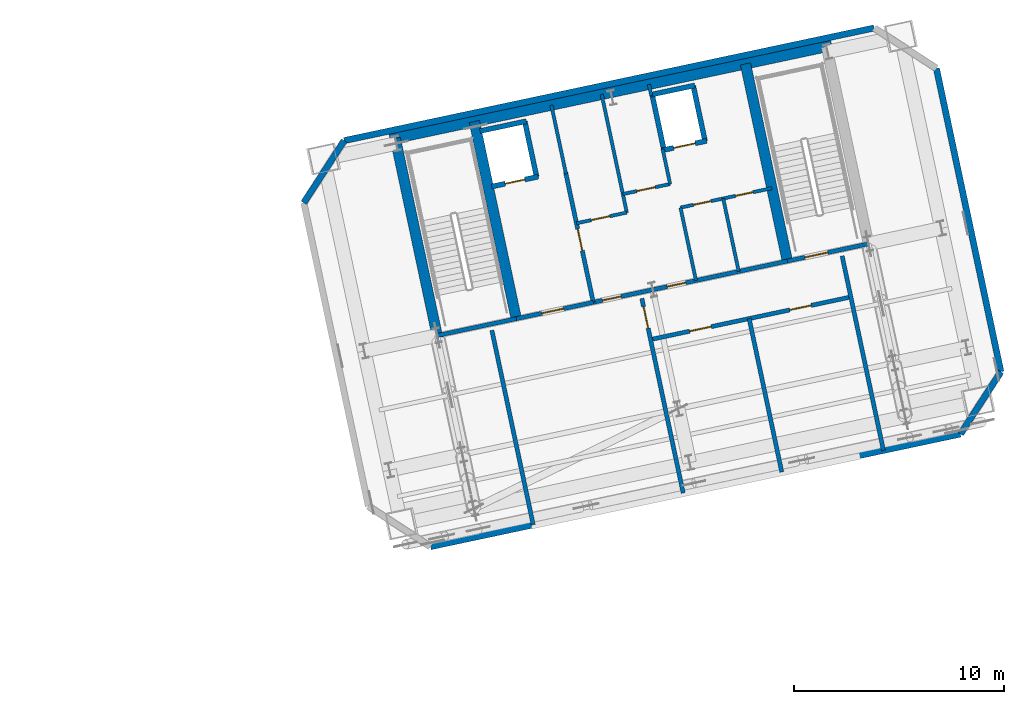
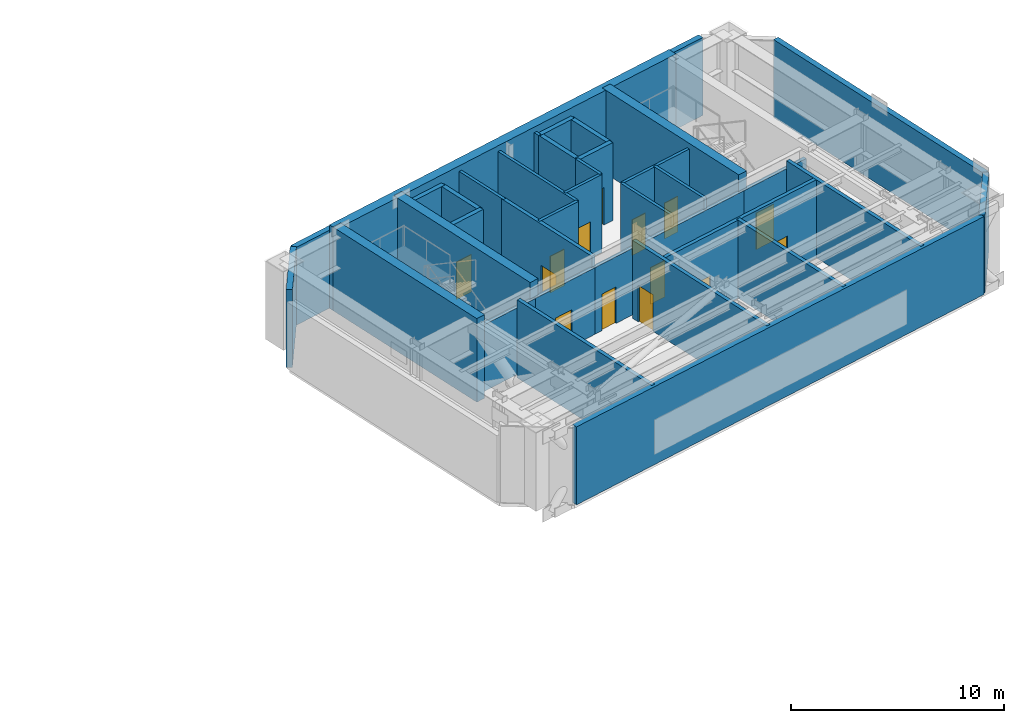
# One storey, part 10 of 15: 35 walls, 14 doors, 14 openings.
"""IFC4 building model written with IfcOpenShell, lengths in metres."""

from ifc_helpers import new_model, si_unit, direction, frame, frame_2d, origin, place, context, subcontext, project, spatial, rectangle, extrude, material, layer, layer_set, type_object, element, fill, save


model = new_model("IFC4")

# Units and contexts
model_context = context("Model", 3, precision=1e-05, world=origin(), true_north=direction((0.0, 1.0)))
body_context = subcontext(model_context, "Body", "Model", "MODEL_VIEW")
ifc_project = project(units=[si_unit("LENGTHUNIT", "METRE"), si_unit("AREAUNIT", "SQUARE_METRE"), si_unit("VOLUMEUNIT", "CUBIC_METRE"), si_unit("PLANEANGLEUNIT", "RADIAN"), si_unit("MASSUNIT", "GRAM", prefix="KILO")], contexts=[model_context])

# Site, building, storey
site_placement = place(None, origin())
site = spatial("IfcSite", under=ifc_project, at=site_placement, CompositionType="ELEMENT")
building_placement = place(site_placement, origin())
building = spatial("IfcBuilding", under=site, at=building_placement, Name="Haevon Station Towers", CompositionType="ELEMENT")
storey_placement = place(building_placement, frame((0.0, 0.0, 192.300048828125)))
storey = spatial("IfcBuildingStorey", under=building, at=storey_placement, Name="L53", CompositionType="ELEMENT", Elevation=192.300048828125)

# Wall
ifc_material_1 = material(Name="Gypsum board on steel stud", Category="steel")
ifc_layer_1 = layer(ifc_material_1, 0.199951171875)
ifc_layer_set_1 = layer_set([ifc_layer_1], Name="Gypsum board on steel stud")
wall_type_1 = type_object("IfcWallType", Name="WL-COR200", PredefinedType="PARTITIONING", material=ifc_layer_set_1)
wall_1_placement = place(storey_placement, frame((98.75244140625, 37.4423828125, 0.0), z_axis=(0.0, 0.0, 1.0), x_axis=(0.978143537786, 0.207930804564, 0.0)))
element("IfcWall", 1, at=wall_1_placement, inside=storey, type_object=wall_type_1, Name="WL-ST-ST3-L53", PredefinedType="PARTITIONING", context=body_context, shape_type="SweptSolid", body=[
    extrude(rectangle(XDim=3.85009765625, YDim=0.199951171875, at=frame_2d((1.925048828125, 0.0))), origin(), (0.0, 0.0, 1.0), 3.829833984375),
])

# Wall, opening, door
wall_2_placement = place(storey_placement, frame((115.4296875, 40.9873046875, 0.0), z_axis=(0.0, 0.0, 1.0), x_axis=(0.978146596989, 0.207916413008, 0.0)))
wall_2 = element("IfcWall", 2, at=wall_2_placement, inside=storey, type_object=wall_type_1, Name="WL-ST-ST4-L53", PredefinedType="PARTITIONING", context=body_context, shape_type="SweptSolid", body=[
    extrude(rectangle(XDim=3.9501953125, YDim=0.199951171875, at=frame_2d((1.97509765625, 0.0))), origin(), (0.0, 0.0, 1.0), 3.829833984375),
])
opening_1_placement = place(wall_2_placement, frame((0.85009765625, 0.0, 0.0)))
opening_1 = element("IfcOpeningElement", 3, at=opening_1_placement, cuts=wall_2, Name="Opening DR-ST-ST4-L53", PredefinedType="OPENING", context=body_context, shape_type="SweptSolid", body=[
    extrude(rectangle(XDim=1.1201171875, YDim=2.10009765625, at=frame_2d((0.56005859375, 1.050048828125))), frame((0.0, 0.10986328125, 0.0), z_axis=(0.0, -1.0, 0.0), x_axis=(1.0, 0.0, 0.0)), (0.0, 0.0, 1.0), 0.219970703125),
])
ifc_material_2 = material(Name="Engineered oak timber", Category="wood")
door_type_1 = type_object("IfcDoorType", Name="DR-ST-1120", OperationType="NOTDEFINED", PredefinedType="DOOR", material=ifc_material_2)
door_1_placement = place(opening_1_placement, origin())
door_1 = element("IfcDoor", 4, at=door_1_placement, inside=storey, type_object=door_type_1, Name="L53 Escape Stair ST4 Fire Door", OperationType="SINGLE_SWING_RIGHT", OverallHeight=2.10009765625, OverallWidth=1.1201171875, PredefinedType="DOOR", context=body_context, shape_type="SweptSolid", body=[
    extrude(rectangle(XDim=1.1201171875, YDim=2.10009765625, at=frame_2d((0.56005859375, 1.050048828125))), frame((0.0, 0.02490234375, 0.0), z_axis=(0.0, -1.0, 0.0), x_axis=(1.0, 0.0, 0.0)), (0.0, 0.0, 1.0), 0.050048828125),
])
fill(opening_1, door_1)

wall_3_placement = place(storey_placement, frame((106.186279296875, 39.0224609375, 0.0), z_axis=(0.0, 0.0, 1.0), x_axis=(-0.207916691923, 0.978146537703, 0.0)))
wall_3 = element("IfcWall", 5, at=wall_3_placement, inside=storey, type_object=wall_type_1, Name="WL-T2FFL-L53-E", PredefinedType="PARTITIONING", context=body_context, shape_type="SweptSolid", body=[
    extrude(rectangle(XDim=6.35009765625, YDim=0.199951171875, at=frame_2d((3.175048828125, 0.0))), origin(), (0.0, 0.0, 1.0), 4.47998046875),
])
opening_2_placement = place(wall_3_placement, frame((2.52001953125, 0.0, 0.0)))
opening_2 = element("IfcOpeningElement", 6, at=opening_2_placement, cuts=wall_3, Name="Opening DR-T2FFL-L53-E", PredefinedType="OPENING", context=body_context, shape_type="SweptSolid", body=[
    extrude(rectangle(XDim=1.050048828125, YDim=2.10009765625, at=frame_2d((0.52490234375, 1.050048828125))), frame((0.0, 0.10986328125, 0.0), z_axis=(0.0, -1.0, 0.0), x_axis=(1.0, 0.0, 0.0)), (0.0, 0.0, 1.0), 0.219970703125),
])
door_type_2 = type_object("IfcDoorType", Name="DR-FD60-1050", OperationType="NOTDEFINED", PredefinedType="DOOR", material=ifc_material_2)
door_2_placement = place(opening_2_placement, origin())
door_2 = element("IfcDoor", 7, at=door_2_placement, inside=storey, type_object=door_type_2, Name="L53 Tower 2 Firefighting Lift Lobby Door E", OperationType="SINGLE_SWING_LEFT", OverallHeight=2.10009765625, OverallWidth=1.050048828125, PredefinedType="DOOR", context=body_context, shape_type="SweptSolid", body=[
    extrude(rectangle(XDim=1.050048828125, YDim=2.10009765625, at=frame_2d((0.52490234375, 1.050048828125))), frame((0.0, 0.02490234375, 0.0), z_axis=(0.0, -1.0, 0.0), x_axis=(1.0, 0.0, 0.0)), (0.0, 0.0, 1.0), 0.050048828125),
])
fill(opening_2, door_2)

wall_4_placement = place(storey_placement, frame((102.518310546875, 38.242919921875, 0.0), z_axis=(0.0, 0.0, 1.0), x_axis=(0.978153555683, 0.20788367301, 0.0)))
wall_4 = element("IfcWall", 8, at=wall_4_placement, inside=storey, type_object=wall_type_1, Name="WL-T2FFL-L53-S", PredefinedType="PARTITIONING", context=body_context, shape_type="SweptSolid", body=[
    extrude(rectangle(XDim=3.75, YDim=0.199951171875, at=frame_2d((1.875, 0.0))), origin(), (0.0, 0.0, 1.0), 3.829833984375),
])
opening_3_placement = place(wall_4_placement, frame((1.25, 0.0, 0.0)))
opening_3 = element("IfcOpeningElement", 9, at=opening_3_placement, cuts=wall_4, Name="Opening DR-T2FFL-L53-S", PredefinedType="OPENING", context=body_context, shape_type="SweptSolid", body=[
    extrude(rectangle(XDim=1.050048828125, YDim=2.10009765625, at=frame_2d((0.52490234375, 1.050048828125))), frame((0.0, 0.10986328125, 0.0), z_axis=(0.0, -1.0, 0.0), x_axis=(1.0, 0.0, 0.0)), (0.0, 0.0, 1.0), 0.219970703125),
])
door_3_placement = place(opening_3_placement, origin())
door_3 = element("IfcDoor", 10, at=door_3_placement, inside=storey, type_object=door_type_2, Name="L53 Tower 2 Firefighting Lift Lobby Door S", OperationType="SINGLE_SWING_RIGHT", OverallHeight=2.10009765625, OverallWidth=1.050048828125, PredefinedType="DOOR", context=body_context, shape_type="SweptSolid", body=[
    extrude(rectangle(XDim=1.050048828125, YDim=2.10009765625, at=frame_2d((0.52490234375, 1.050048828125))), frame((0.0, 0.02490234375, 0.0), z_axis=(0.0, -1.0, 0.0), x_axis=(1.0, 0.0, 0.0)), (0.0, 0.0, 1.0), 0.050048828125),
])
fill(opening_3, door_3)

# Wall, openings, doors
wall_5_placement = place(storey_placement, frame((106.186279296875, 39.0224609375, 0.0), z_axis=(0.0, 0.0, 1.0), x_axis=(0.978145519981, 0.20792147975, 0.0)))
wall_5 = element("IfcWall", 11, at=wall_5_placement, inside=storey, type_object=wall_type_1, Name="WL-T2CLB-L53", PredefinedType="PARTITIONING", context=body_context, shape_type="SweptSolid", body=[
    extrude(rectangle(XDim=9.449951171875, YDim=0.199951171875, at=frame_2d((4.72509765625, 0.0))), origin(), (0.0, 0.0, 1.0), 3.829833984375),
])
opening_4_placement = place(wall_5_placement, frame((0.449951171875, 0.0, 0.0)))
opening_4 = element("IfcOpeningElement", 12, at=opening_4_placement, cuts=wall_5, Name="Opening DR-T2CLB-L53-1", PredefinedType="OPENING", context=body_context, shape_type="SweptSolid", body=[
    extrude(rectangle(XDim=0.89990234375, YDim=2.10009765625, at=frame_2d((0.449951171875, 1.050048828125))), frame((0.0, 0.10986328125, 0.0), z_axis=(0.0, -1.0, 0.0), x_axis=(1.0, 0.0, 0.0)), (0.0, 0.0, 1.0), 0.219970703125),
])
opening_5_placement = place(wall_5_placement, frame((3.60009765625, 0.0, 0.0)))
opening_5 = element("IfcOpeningElement", 13, at=opening_5_placement, cuts=wall_5, Name="Opening DR-T2CLB-L53-2", PredefinedType="OPENING", context=body_context, shape_type="SweptSolid", body=[
    extrude(rectangle(XDim=0.89990234375, YDim=2.10009765625, at=frame_2d((0.449951171875, 1.050048828125))), frame((0.0, 0.10986328125, 0.0), z_axis=(0.0, -1.0, 0.0), x_axis=(1.0, 0.0, 0.0)), (0.0, 0.0, 1.0), 0.219970703125),
])
door_type_3 = type_object("IfcDoorType", Name="DR-FD60-900", OperationType="NOTDEFINED", PredefinedType="DOOR", material=ifc_material_2)
door_4_placement = place(opening_4_placement, origin())
door_4 = element("IfcDoor", 14, at=door_4_placement, inside=storey, type_object=door_type_3, Name="L53 Tower 2 Core Lift Lobby Door 1", OperationType="SINGLE_SWING_LEFT", OverallHeight=2.10009765625, OverallWidth=0.89990234375, PredefinedType="DOOR", context=body_context, shape_type="SweptSolid", body=[
    extrude(rectangle(XDim=0.89990234375, YDim=2.10009765625, at=frame_2d((0.449951171875, 1.050048828125))), frame((0.0, 0.02490234375, 0.0), z_axis=(0.0, -1.0, 0.0), x_axis=(1.0, 0.0, 0.0)), (0.0, 0.0, 1.0), 0.050048828125),
])
fill(opening_4, door_4)
door_5_placement = place(opening_5_placement, origin())
door_5 = element("IfcDoor", 15, at=door_5_placement, inside=storey, type_object=door_type_3, Name="L53 Tower 2 Core Lift Lobby Door 2", OperationType="SINGLE_SWING_RIGHT", OverallHeight=2.10009765625, OverallWidth=0.89990234375, PredefinedType="DOOR", context=body_context, shape_type="SweptSolid", body=[
    extrude(rectangle(XDim=0.89990234375, YDim=2.10009765625, at=frame_2d((0.449951171875, 1.050048828125))), frame((0.0, 0.02490234375, 0.0), z_axis=(0.0, -1.0, 0.0), x_axis=(1.0, 0.0, 0.0)), (0.0, 0.0, 1.0), 0.050048828125),
])
fill(opening_5, door_5)

# Wall
wall_6_placement = place(storey_placement, frame((103.326904296875, 28.426513671875, 0.0), z_axis=(0.0, 0.0, 1.0), x_axis=(-0.207921347497, 0.978145548094, 0.0)))
element("IfcWall", 16, at=wall_6_placement, inside=storey, type_object=wall_type_1, Name="WL-T2PT-L53-01", PredefinedType="PARTITIONING", context=body_context, shape_type="SweptSolid", body=[
    extrude(rectangle(XDim=9.469970703125, YDim=0.199951171875, at=frame_2d((4.73486328125, 0.0))), origin(), (0.0, 0.0, 1.0), 4.47998046875),
])

# Wall, opening, door
wall_7_placement = place(storey_placement, frame((110.46728515625, 29.9443359375, 0.0), z_axis=(0.0, 0.0, 1.0), x_axis=(-0.207921347497, 0.978145548094, 0.0)))
wall_7 = element("IfcWall", 17, at=wall_7_placement, inside=storey, type_object=wall_type_1, Name="WL-T2PT-L53-02", PredefinedType="PARTITIONING", context=body_context, shape_type="SweptSolid", body=[
    extrude(rectangle(XDim=9.469970703125, YDim=0.199951171875, at=frame_2d((4.73486328125, 0.0))), origin(), (0.0, 0.0, 1.0), 4.47998046875),
])
opening_6_placement = place(wall_7_placement, frame((8.02001953125, 0.0, 0.0)))
opening_6 = element("IfcOpeningElement", 18, at=opening_6_placement, cuts=wall_7, Name="Opening DR-WL-T2PT-L53-02-01", PredefinedType="OPENING", context=body_context, shape_type="SweptSolid", body=[
    extrude(rectangle(XDim=1.050048828125, YDim=2.10009765625, at=frame_2d((0.52490234375, 1.050048828125))), frame((0.0, 0.10986328125, 0.0), z_axis=(0.0, -1.0, 0.0), x_axis=(1.0, 0.0, 0.0)), (0.0, 0.0, 1.0), 0.219970703125),
])
door_6_placement = place(opening_6_placement, origin())
door_6 = element("IfcDoor", 19, at=door_6_placement, inside=storey, type_object=door_type_2, Name="L53 Tower 2 Room Door 2-1", OperationType="SINGLE_SWING_LEFT", OverallHeight=2.10009765625, OverallWidth=1.050048828125, PredefinedType="DOOR", context=body_context, shape_type="SweptSolid", body=[
    extrude(rectangle(XDim=1.050048828125, YDim=2.10009765625, at=frame_2d((0.52490234375, 1.050048828125))), frame((0.0, 0.02490234375, 0.0), z_axis=(0.0, -1.0, 0.0), x_axis=(1.0, 0.0, 0.0)), (0.0, 0.0, 1.0), 0.050048828125),
])
fill(opening_6, door_6)

# Wall
wall_8_placement = place(storey_placement, frame((115.162353515625, 30.942138671875, 0.0), z_axis=(0.0, 0.0, 1.0), x_axis=(-0.207892762201, 0.978151623944, 0.0)))
element("IfcWall", 20, at=wall_8_placement, inside=storey, type_object=wall_type_1, Name="WL-T2PT-L53-03", PredefinedType="PARTITIONING", context=body_context, shape_type="SweptSolid", body=[
    extrude(rectangle(XDim=7.47021484375, YDim=0.199951171875, at=frame_2d((3.735107421875, 0.0))), origin(), (0.0, 0.0, 1.0), 4.47998046875),
])

# Wall, openings, doors
wall_9_placement = place(storey_placement, frame((108.914306640625, 37.2509765625, 0.0), z_axis=(0.0, 0.0, 1.0), x_axis=(0.978148094533, 0.20790936766, 0.0)))
wall_9 = element("IfcWall", 21, at=wall_9_placement, inside=storey, type_object=wall_type_1, Name="WL-T2PT-L53-04", PredefinedType="PARTITIONING", context=body_context, shape_type="SweptSolid", body=[
    extrude(rectangle(XDim=9.75, YDim=0.199951171875, at=frame_2d((4.875, 0.0))), origin(), (0.0, 0.0, 1.0), 4.47998046875),
])
opening_7_placement = place(wall_9_placement, frame((1.89990234375, 0.0, 0.0)))
opening_7 = element("IfcOpeningElement", 22, at=opening_7_placement, cuts=wall_9, Name="Opening DR-WL-T2PT-L53-04-01", PredefinedType="OPENING", context=body_context, shape_type="SweptSolid", body=[
    extrude(rectangle(XDim=1.050048828125, YDim=2.10009765625, at=frame_2d((0.52490234375, 1.050048828125))), frame((0.0, 0.10986328125, 0.0), z_axis=(0.0, -1.0, 0.0), x_axis=(1.0, 0.0, 0.0)), (0.0, 0.0, 1.0), 0.219970703125),
])
opening_8_placement = place(wall_9_placement, frame((6.77490234375, 0.0, 0.0)))
opening_8 = element("IfcOpeningElement", 23, at=opening_8_placement, cuts=wall_9, Name="Opening DR-WL-T2PT-L53-04-02", PredefinedType="OPENING", context=body_context, shape_type="SweptSolid", body=[
    extrude(rectangle(XDim=1.050048828125, YDim=2.10009765625, at=frame_2d((0.52490234375, 1.050048828125))), frame((0.0, 0.10986328125, 0.0), z_axis=(0.0, -1.0, 0.0), x_axis=(1.0, 0.0, 0.0)), (0.0, 0.0, 1.0), 0.219970703125),
])
door_7_placement = place(opening_7_placement, origin())
door_7 = element("IfcDoor", 24, at=door_7_placement, inside=storey, type_object=door_type_2, Name="L53 Tower 2 Room Door 4-1", OperationType="SINGLE_SWING_RIGHT", OverallHeight=2.10009765625, OverallWidth=1.050048828125, PredefinedType="DOOR", context=body_context, shape_type="SweptSolid", body=[
    extrude(rectangle(XDim=1.050048828125, YDim=2.10009765625, at=frame_2d((0.52490234375, 1.050048828125))), frame((0.0, 0.02490234375, 0.0), z_axis=(0.0, -1.0, 0.0), x_axis=(1.0, 0.0, 0.0)), (0.0, 0.0, 1.0), 0.050048828125),
])
fill(opening_7, door_7)
door_8_placement = place(opening_8_placement, origin())
door_8 = element("IfcDoor", 25, at=door_8_placement, inside=storey, type_object=door_type_2, Name="L53 Tower 2 Room Door 4-2", OperationType="SINGLE_SWING_LEFT", OverallHeight=2.10009765625, OverallWidth=1.050048828125, PredefinedType="DOOR", context=body_context, shape_type="SweptSolid", body=[
    extrude(rectangle(XDim=1.050048828125, YDim=2.10009765625, at=frame_2d((0.52490234375, 1.050048828125))), frame((0.0, 0.02490234375, 0.0), z_axis=(0.0, -1.0, 0.0), x_axis=(1.0, 0.0, 0.0)), (0.0, 0.0, 1.0), 0.050048828125),
])
fill(opening_8, door_8)

# Walls
wall_10_placement = place(storey_placement, frame((120.004150390625, 31.971435546875, 0.0), z_axis=(0.0, 0.0, 1.0), x_axis=(-0.207896681131, 0.978150791021, 0.0)))
element("IfcWall", 26, at=wall_10_placement, inside=storey, type_object=wall_type_1, Name="WL-T2PT-L53-05", PredefinedType="PARTITIONING", context=body_context, shape_type="SweptSolid", body=[
    extrude(rectangle(XDim=9.4697265625, YDim=0.199951171875, at=frame_2d((4.73486328125, 0.0))), origin(), (0.0, 0.0, 1.0), 4.47998046875),
])
ifc_material_3 = material(Name="Concrete C60/75", Category="concrete")
ifc_layer_2 = layer(ifc_material_3, 0.5)
ifc_layer_set_2 = layer_set([ifc_layer_2], Name="Concrete C60/75")
wall_type_2 = type_object("IfcWallType", Name="WL-CR500", PredefinedType="SHEAR", material=ifc_layer_set_2)
wall_11_placement = place(storey_placement, frame((96.511962890625, 46.78076171875, 0.0), z_axis=(0.0, 0.0, 1.0), x_axis=(0.978148546782, 0.207907239961, 0.0)))
element("IfcWall", 27, at=wall_11_placement, inside=storey, type_object=wall_type_2, Name="WL-T2CR-L53-N", PredefinedType="SHEAR", context=body_context, shape_type="SweptSolid", body=[
    extrude(rectangle(XDim=21.499755859375, YDim=0.5, at=frame_2d((10.75, 0.0))), origin(), (0.0, 0.0, 1.0), 4.800048828125),
])
wall_12_placement = place(storey_placement, frame((98.8603515625, 36.933837890625, 0.0), z_axis=(0.0, 0.0, 1.0), x_axis=(-0.20790924889, 0.978148119778, 0.0)))
element("IfcWall", 28, at=wall_12_placement, inside=storey, type_object=wall_type_2, Name="WL-T2CR-L53-W", PredefinedType="SHEAR", context=body_context, shape_type="SweptSolid", body=[
    extrude(rectangle(XDim=10.119873046875, YDim=0.5, at=frame_2d((5.06005859375, 0.0))), origin(), (0.0, 0.0, 1.0), 4.800048828125),
])
for number, where, z_axis, x_axis, name in (
    (29, (102.518310546875, 38.242919921875, 0.0), (0.0, 0.0, 1.0), (-0.207927495108, 0.978144241295, 0.0), "WL-T2CR-L53-M1"),
    (30, (115.4296875, 40.9873046875, 0.0), (0.0, 0.0, 1.0), (-0.207903162969, 0.978149413345, 0.0), "WL-T2CR-L53-M2"),
):
    element("IfcWall", number, at=place(storey_placement, frame(where, z_axis=z_axis, x_axis=x_axis)), inside=storey, type_object=wall_type_2, Name=name, PredefinedType="SHEAR", context=body_context, shape_type="SweptSolid", body=[
        extrude(rectangle(XDim=9.599853515625, YDim=0.5, at=frame_2d((4.7998046875, 0.0))), origin(), (0.0, 0.0, 1.0), 4.800048828125),
    ])
ifc_material_4 = material(Name="Precast concrete C45/55", Category="concrete")
ifc_layer_3 = layer(ifc_material_4, 0.300048828125)
ifc_layer_set_3 = layer_set([ifc_layer_3], Name="Precast concrete C45/55")
wall_type_3 = type_object("IfcWallType", Name="WL-EXT-PIER300", PredefinedType="SOLIDWALL", material=ifc_layer_set_3)
wall_13_placement = place(storey_placement, frame((123.67236328125, 32.7509765625, 0.0), z_axis=(0.0, 0.0, 1.0), x_axis=(-0.978148652743, -0.207906741442, 0.0)))
element("IfcWall", 31, at=wall_13_placement, inside=storey, type_object=wall_type_3, Name="WL-T2-L53-S", PredefinedType="SOLIDWALL", context=body_context, shape_type="SweptSolid", body=[
    extrude(rectangle(XDim=25.800048828125, YDim=0.300048828125, at=frame_2d((12.89990234375, 0.0))), origin(), (0.0, 0.0, 1.0), 4.47998046875),
])
wall_14_placement = place(storey_placement, frame((92.400146484375, 43.759765625, 0.0), z_axis=(0.0, 0.0, 1.0), x_axis=(0.544636352948, 0.838672309694, 0.0)))
element("IfcWall", 32, at=wall_14_placement, inside=storey, type_object=wall_type_3, Name="WL-T2-L53-NWC", PredefinedType="SOLIDWALL", context=body_context, shape_type="SweptSolid", body=[
    extrude(rectangle(XDim=3.535400390625, YDim=0.300048828125, at=frame_2d((1.767578125, 0.0))), origin(), (0.0, 0.0, 1.0), 4.47998046875),
])
wall_15_placement = place(storey_placement, frame((94.32568359375, 46.724853515625, 0.0), z_axis=(0.0, 0.0, 1.0), x_axis=(0.978146319248, 0.207917719645, 0.0)))
element("IfcWall", 33, at=wall_15_placement, inside=storey, type_object=wall_type_3, Name="WL-T2-L53-N", PredefinedType="SOLIDWALL", context=body_context, shape_type="SweptSolid", body=[
    extrude(rectangle(XDim=25.7998046875, YDim=0.300048828125, at=frame_2d((12.89990234375, 0.0))), origin(), (0.0, 0.0, 1.0), 4.47998046875),
])
wall_16_placement = place(storey_placement, frame((122.527099609375, 50.163330078125, 0.0), z_axis=(0.0, 0.0, 1.0), x_axis=(0.207911144611, -0.978147716834, 0.0)))
element("IfcWall", 34, at=wall_16_placement, inside=storey, type_object=wall_type_3, Name="WL-T2-L53-E", PredefinedType="SOLIDWALL", context=body_context, shape_type="SweptSolid", body=[
    extrude(rectangle(XDim=14.769775390625, YDim=0.300048828125, at=frame_2d((7.384765625, 0.0))), origin(), (0.0, 0.0, 1.0), 4.47998046875),
])
wall_17_placement = place(storey_placement, frame((125.597900390625, 35.71630859375, 0.0), z_axis=(0.0, 0.0, 1.0), x_axis=(-0.544604812064, -0.838692791597, 0.0)))
element("IfcWall", 35, at=wall_17_placement, inside=storey, type_object=wall_type_3, Name="WL-T2-L53-SEC", PredefinedType="SOLIDWALL", context=body_context, shape_type="SweptSolid", body=[
    extrude(rectangle(XDim=3.53564453125, YDim=0.300048828125, at=frame_2d((1.767822265625, 0.0))), origin(), (0.0, 0.0, 1.0), 4.47998046875),
])
ifc_layer_4 = layer(ifc_material_1, 0.159912109375)
ifc_layer_set_4 = layer_set([ifc_layer_4], Name="Gypsum board on steel stud")
wall_type_4 = type_object("IfcWallType", Name="WL-PRT160", PredefinedType="PARTITIONING", material=ifc_layer_set_4)
wall_18_placement = place(storey_placement, frame((104.88671875, 45.135986328125, 0.0), z_axis=(0.0, 0.0, 1.0), x_axis=(-0.207846553267, 0.978161443881, 0.0)))
element("IfcWall", 36, at=wall_18_placement, inside=storey, type_object=wall_type_4, Name="WL-T2CW-L53-01", PredefinedType="PARTITIONING", context=body_context, shape_type="SweptSolid", body=[
    extrude(rectangle(XDim=3.35009765625, YDim=0.159912109375, at=frame_2d((1.675048828125, 0.0))), origin(), (0.0, 0.0, 1.0), 4.47998046875),
])

# Wall, opening, door
wall_19_placement = place(storey_placement, frame((105.3857421875, 42.788330078125, 0.0), z_axis=(0.0, 0.0, 1.0), x_axis=(0.978136559131, 0.207963630695, 0.0)))
wall_19 = element("IfcWall", 37, at=wall_19_placement, inside=storey, type_object=wall_type_4, Name="WL-T2CW-L53-02", PredefinedType="PARTITIONING", context=body_context, shape_type="SweptSolid", body=[
    extrude(rectangle(XDim=2.449951171875, YDim=0.159912109375, at=frame_2d((1.22509765625, 0.0))), origin(), (0.0, 0.0, 1.0), 4.47998046875),
])
opening_9_placement = place(wall_19_placement, frame((0.719970703125, 0.0, 0.0)))
opening_9 = element("IfcOpeningElement", 38, at=opening_9_placement, cuts=wall_19, Name="Opening DR-WL-T2CW-L53-02-1", PredefinedType="OPENING", context=body_context, shape_type="SweptSolid", body=[
    extrude(rectangle(XDim=0.89990234375, YDim=2.10009765625, at=frame_2d((0.449951171875, 1.050048828125))), frame((0.0, 0.08984375, 0.0), z_axis=(0.0, -1.0, 0.0), x_axis=(1.0, 0.0, 0.0)), (0.0, 0.0, 1.0), 0.179931640625),
])
door_9_placement = place(opening_9_placement, origin())
door_9 = element("IfcDoor", 39, at=door_9_placement, inside=storey, type_object=door_type_3, Name="L53 Tower 2 Core Room Door 2-1", OperationType="SINGLE_SWING_LEFT", OverallHeight=2.10009765625, OverallWidth=0.89990234375, PredefinedType="DOOR", context=body_context, shape_type="SweptSolid", body=[
    extrude(rectangle(XDim=0.89990234375, YDim=2.10009765625, at=frame_2d((0.449951171875, 1.050048828125))), frame((0.0, 0.02490234375, 0.0), z_axis=(0.0, -1.0, 0.0), x_axis=(1.0, 0.0, 0.0)), (0.0, 0.0, 1.0), 0.050048828125),
])
fill(opening_9, door_9)

# Wall
wall_20_placement = place(storey_placement, frame((107.7822265625, 43.2978515625, 0.0), z_axis=(0.0, 0.0, 1.0), x_axis=(-0.207925279174, 0.978144712341, 0.0)))
element("IfcWall", 40, at=wall_20_placement, inside=storey, type_object=wall_type_4, Name="WL-T2CW-L53-03", PredefinedType="PARTITIONING", context=body_context, shape_type="SweptSolid", body=[
    extrude(rectangle(XDim=5.75, YDim=0.159912109375, at=frame_2d((2.875, 0.0))), origin(), (0.0, 0.0, 1.0), 4.47998046875),
])

# Wall, opening, door
wall_21_placement = place(storey_placement, frame((107.59521484375, 44.17822265625, 0.0), z_axis=(0.0, 0.0, 1.0), x_axis=(0.978162897375, 0.207839712757, 0.0)))
wall_21 = element("IfcWall", 41, at=wall_21_placement, inside=storey, type_object=wall_type_4, Name="WL-T2CW-L53-04", PredefinedType="PARTITIONING", context=body_context, shape_type="SweptSolid", body=[
    extrude(rectangle(XDim=2.300048828125, YDim=0.159912109375, at=frame_2d((1.14990234375, 0.0))), origin(), (0.0, 0.0, 1.0), 4.47998046875),
])
opening_10_placement = place(wall_21_placement, frame((0.679931640625, 0.0, 0.0)))
opening_10 = element("IfcOpeningElement", 42, at=opening_10_placement, cuts=wall_21, Name="Opening DR-WL-T2CW-L53-04-1", PredefinedType="OPENING", context=body_context, shape_type="SweptSolid", body=[
    extrude(rectangle(XDim=0.89990234375, YDim=2.10009765625, at=frame_2d((0.449951171875, 1.050048828125))), frame((0.0, 0.08984375, 0.0), z_axis=(0.0, -1.0, 0.0), x_axis=(1.0, 0.0, 0.0)), (0.0, 0.0, 1.0), 0.179931640625),
])
door_10_placement = place(opening_10_placement, origin())
door_10 = element("IfcDoor", 43, at=door_10_placement, inside=storey, type_object=door_type_3, Name="L53 Tower 2 Core Room Door 4-1", OperationType="SINGLE_SWING_RIGHT", OverallHeight=2.10009765625, OverallWidth=0.89990234375, PredefinedType="DOOR", context=body_context, shape_type="SweptSolid", body=[
    extrude(rectangle(XDim=0.89990234375, YDim=2.10009765625, at=frame_2d((0.449951171875, 1.050048828125))), frame((0.0, 0.02490234375, 0.0), z_axis=(0.0, -1.0, 0.0), x_axis=(1.0, 0.0, 0.0)), (0.0, 0.0, 1.0), 0.050048828125),
])
fill(opening_10, door_10)

# Walls
wall_22_placement = place(storey_placement, frame((109.844970703125, 44.65625, 0.0), z_axis=(0.0, 0.0, 1.0), x_axis=(-0.207949787024, 0.97813950236, 0.0)))
element("IfcWall", 44, at=wall_22_placement, inside=storey, type_object=wall_type_4, Name="WL-T2CW-L53-05", PredefinedType="PARTITIONING", context=body_context, shape_type="SweptSolid", body=[
    extrude(rectangle(XDim=1.699951171875, YDim=0.159912109375, at=frame_2d((0.85009765625, 0.0))), origin(), (0.0, 0.0, 1.0), 4.47998046875),
])
wall_23_placement = place(storey_placement, frame((108.950927734375, 48.8623046875, 0.0), z_axis=(0.0, 0.0, 1.0), x_axis=(-0.208134744237, 0.978100162683, 0.0)))
element("IfcWall", 45, at=wall_23_placement, inside=storey, type_object=wall_type_4, Name="WL-T2CW-L53-06", PredefinedType="PARTITIONING", context=body_context, shape_type="SweptSolid", body=[
    extrude(rectangle(XDim=0.550048828125, YDim=0.159912109375, at=frame_2d((0.27490234375, 0.0))), origin(), (0.0, 0.0, 1.0), 4.47998046875),
])
for number, where, z_axis, x_axis, name in (
    (46, (111.076904296875, 40.06201171875, 0.0), (0.0, 0.0, 1.0), (-0.207899058817, 0.978150285663, 0.0), "WL-T2CW-L53-07"),
    (47, (113.111572265625, 40.49462890625, 0.0), (0.0, 0.0, 1.0), (-0.207899058817, 0.978150285663, 0.0), "WL-T2CW-L53-08"),
):
    element("IfcWall", number, at=place(storey_placement, frame(where, z_axis=z_axis, x_axis=x_axis)), inside=storey, type_object=wall_type_4, Name=name, PredefinedType="PARTITIONING", context=body_context, shape_type="SweptSolid", body=[
        extrude(rectangle(XDim=3.550048828125, YDim=0.159912109375, at=frame_2d((1.77490234375, 0.0))), origin(), (0.0, 0.0, 1.0), 4.47998046875),
    ])

# Wall, openings, doors
wall_24_placement = place(storey_placement, frame((110.3388671875, 43.534423828125, 0.0), z_axis=(0.0, 0.0, 1.0), x_axis=(0.978143929138, 0.207928963567, 0.0)))
wall_24 = element("IfcWall", 48, at=wall_24_placement, inside=storey, type_object=wall_type_4, Name="WL-T2CW-L53-09", PredefinedType="PARTITIONING", context=body_context, shape_type="SweptSolid", body=[
    extrude(rectangle(XDim=4.449951171875, YDim=0.159912109375, at=frame_2d((2.22509765625, 0.0))), origin(), (0.0, 0.0, 1.0), 4.47998046875),
])
opening_11_placement = place(wall_24_placement, frame((0.635009765625, 0.0, 0.0)))
opening_11 = element("IfcOpeningElement", 49, at=opening_11_placement, cuts=wall_24, Name="Opening DR-WL-T2CW-L53-09-1", PredefinedType="OPENING", context=body_context, shape_type="SweptSolid", body=[
    extrude(rectangle(XDim=0.85009765625, YDim=2.050048828125, at=frame_2d((0.425048828125, 1.02490234375))), frame((0.0, 0.08984375, 0.0), z_axis=(0.0, -1.0, 0.0), x_axis=(1.0, 0.0, 0.0)), (0.0, 0.0, 1.0), 0.179931640625),
])
opening_12_placement = place(wall_24_placement, frame((2.679931640625, 0.0, 0.0)))
opening_12 = element("IfcOpeningElement", 50, at=opening_12_placement, cuts=wall_24, Name="Opening DR-WL-T2CW-L53-09-2", PredefinedType="OPENING", context=body_context, shape_type="SweptSolid", body=[
    extrude(rectangle(XDim=0.85009765625, YDim=2.050048828125, at=frame_2d((0.425048828125, 1.02490234375))), frame((0.0, 0.08984375, 0.0), z_axis=(0.0, -1.0, 0.0), x_axis=(1.0, 0.0, 0.0)), (0.0, 0.0, 1.0), 0.179931640625),
])
door_type_4 = type_object("IfcDoorType", Name="DR-FD30-850", OperationType="NOTDEFINED", PredefinedType="DOOR", material=ifc_material_2)
door_11_placement = place(opening_11_placement, origin())
door_11 = element("IfcDoor", 51, at=door_11_placement, inside=storey, type_object=door_type_4, Name="L53 Tower 2 Core Room Door 9-1", OperationType="SINGLE_SWING_LEFT", OverallHeight=2.050048828125, OverallWidth=0.85009765625, PredefinedType="DOOR", context=body_context, shape_type="SweptSolid", body=[
    extrude(rectangle(XDim=0.85009765625, YDim=2.050048828125, at=frame_2d((0.425048828125, 1.02490234375))), frame((0.0, 0.02490234375, 0.0), z_axis=(0.0, -1.0, 0.0), x_axis=(1.0, 0.0, 0.0)), (0.0, 0.0, 1.0), 0.050048828125),
])
fill(opening_11, door_11)
door_12_placement = place(opening_12_placement, origin())
door_12 = element("IfcDoor", 52, at=door_12_placement, inside=storey, type_object=door_type_4, Name="L53 Tower 2 Core Room Door 9-2", OperationType="SINGLE_SWING_RIGHT", OverallHeight=2.050048828125, OverallWidth=0.85009765625, PredefinedType="DOOR", context=body_context, shape_type="SweptSolid", body=[
    extrude(rectangle(XDim=0.85009765625, YDim=2.050048828125, at=frame_2d((0.425048828125, 1.02490234375))), frame((0.0, 0.02490234375, 0.0), z_axis=(0.0, -1.0, 0.0), x_axis=(1.0, 0.0, 0.0)), (0.0, 0.0, 1.0), 0.050048828125),
])
fill(opening_12, door_12)

# Wall, opening, door
ifc_material_5 = material(Name="Concrete C40/50", Category="concrete")
ifc_layer_5 = layer(ifc_material_5, 0.239990234375)
ifc_layer_set_5 = layer_set([ifc_layer_5], Name="Concrete C40/50")
wall_type_5 = type_object("IfcWallType", Name="WL-SHF240", PredefinedType="PARTITIONING", material=ifc_layer_set_5)
wall_25_placement = place(storey_placement, frame((101.353759765625, 44.538330078125, 0.0), z_axis=(0.0, 0.0, 1.0), x_axis=(0.978141002414, 0.207942731049, 0.0)))
wall_25 = element("IfcWall", 53, at=wall_25_placement, inside=storey, type_object=wall_type_5, Name="WL-SHF-FL2-L53", PredefinedType="PARTITIONING", context=body_context, shape_type="SweptSolid", body=[
    extrude(rectangle(XDim=2.260009765625, YDim=0.239990234375, at=frame_2d((1.1298828125, 0.0))), origin(), (0.0, 0.0, 1.0), 4.47998046875),
])
opening_13_placement = place(wall_25_placement, frame((0.655029296875, 0.0, 0.0)))
opening_13 = element("IfcOpeningElement", 54, at=opening_13_placement, cuts=wall_25, Name="Opening LD-FL2-L53", PredefinedType="OPENING", context=body_context, shape_type="SweptSolid", body=[
    extrude(rectangle(XDim=0.949951171875, YDim=2.14990234375, at=frame_2d((0.47509765625, 1.074951171875))), frame((0.0, 0.1298828125, 0.0), z_axis=(0.0, -1.0, 0.0), x_axis=(1.0, 0.0, 0.0)), (0.0, 0.0, 1.0), 0.260009765625),
])
ifc_material_6 = material(Name="Stainless steel and rated core", Category="steel")
door_type_5 = type_object("IfcDoorType", Name="LD-FL950", OperationType="SLIDING_TO_LEFT", PredefinedType="DOOR", material=ifc_material_6)
door_13_placement = place(opening_13_placement, origin())
door_13 = element("IfcDoor", 55, at=door_13_placement, inside=storey, type_object=door_type_5, Name="L53 Lift FL2 Sliding Landing Door", OperationType="SLIDING_TO_LEFT", OverallHeight=2.14990234375, OverallWidth=0.949951171875, PredefinedType="DOOR", context=body_context, shape_type="SweptSolid", body=[
    extrude(rectangle(XDim=0.949951171875, YDim=2.14990234375, at=frame_2d((0.47509765625, 1.074951171875))), frame((0.0, 0.02490234375, 0.0), z_axis=(0.0, -1.0, 0.0), x_axis=(1.0, 0.0, 0.0)), (0.0, 0.0, 1.0), 0.050048828125),
])
fill(opening_13, door_13)

# Walls
wall_26_placement = place(storey_placement, frame((100.79248046875, 47.179443359375, 0.0), z_axis=(0.0, 0.0, 1.0), x_axis=(0.978162968872, 0.207839376268, 0.0)))
element("IfcWall", 56, at=wall_26_placement, inside=storey, type_object=wall_type_5, Name="WL-SHF-FL2-L53-N", PredefinedType="PARTITIONING", context=body_context, shape_type="SweptSolid", body=[
    extrude(rectangle(XDim=2.260009765625, YDim=0.239990234375, at=frame_2d((1.1298828125, 0.0))), origin(), (0.0, 0.0, 1.0), 4.47998046875),
])
wall_27_placement = place(storey_placement, frame((103.486328125, 44.99169921875, 0.0), z_axis=(0.0, 0.0, 1.0), x_axis=(-0.207978798957, 0.978133334052, 0.0)))
element("IfcWall", 57, at=wall_27_placement, inside=storey, type_object=wall_type_5, Name="WL-SHF-FL2-L53-E", PredefinedType="PARTITIONING", context=body_context, shape_type="SweptSolid", body=[
    extrude(rectangle(XDim=2.699951171875, YDim=0.239990234375, at=frame_2d((1.35009765625, 0.0))), origin(), (0.0, 0.0, 1.0), 4.47998046875),
])

# Wall, opening, door
wall_28_placement = place(storey_placement, frame((109.472412109375, 46.263916015625, 0.0), z_axis=(0.0, 0.0, 1.0), x_axis=(0.97813528961, 0.207969601673, 0.0)))
wall_28 = element("IfcWall", 58, at=wall_28_placement, inside=storey, type_object=wall_type_5, Name="WL-SHF-PL9-L53", PredefinedType="PARTITIONING", context=body_context, shape_type="SweptSolid", body=[
    extrude(rectangle(XDim=2.159912109375, YDim=0.239990234375, at=frame_2d((1.080078125, 0.0))), origin(), (0.0, 0.0, 1.0), 4.47998046875),
])
opening_14_placement = place(wall_28_placement, frame((0.554931640625, 0.0, 0.0)))
opening_14 = element("IfcOpeningElement", 59, at=opening_14_placement, cuts=wall_28, Name="Opening LD-PL9-L53", PredefinedType="OPENING", context=body_context, shape_type="SweptSolid", body=[
    extrude(rectangle(XDim=1.050048828125, YDim=2.14990234375, at=frame_2d((0.52490234375, 1.074951171875))), frame((0.0, 0.1298828125, 0.0), z_axis=(0.0, -1.0, 0.0), x_axis=(1.0, 0.0, 0.0)), (0.0, 0.0, 1.0), 0.260009765625),
])
door_type_6 = type_object("IfcDoorType", Name="LD-PL1050", OperationType="SLIDING_TO_LEFT", PredefinedType="DOOR", material=ifc_material_6)
door_14_placement = place(opening_14_placement, origin())
door_14 = element("IfcDoor", 60, at=door_14_placement, inside=storey, type_object=door_type_6, Name="L53 Lift PL9 Sliding Landing Door", OperationType="SLIDING_TO_LEFT", OverallHeight=2.14990234375, OverallWidth=1.050048828125, PredefinedType="DOOR", context=body_context, shape_type="SweptSolid", body=[
    extrude(rectangle(XDim=1.050048828125, YDim=2.14990234375, at=frame_2d((0.52490234375, 1.074951171875))), frame((0.0, 0.02490234375, 0.0), z_axis=(0.0, -1.0, 0.0), x_axis=(1.0, 0.0, 0.0)), (0.0, 0.0, 1.0), 0.050048828125),
])
fill(opening_14, door_14)

# Walls
wall_29_placement = place(storey_placement, frame((108.9111328125, 48.905029296875, 0.0), z_axis=(0.0, 0.0, 1.0), x_axis=(0.978158276388, 0.207861459473, 0.0)))
element("IfcWall", 61, at=wall_29_placement, inside=storey, type_object=wall_type_5, Name="WL-SHF-PL9-L53-N", PredefinedType="PARTITIONING", context=body_context, shape_type="SweptSolid", body=[
    extrude(rectangle(XDim=2.159912109375, YDim=0.239990234375, at=frame_2d((1.080078125, 0.0))), origin(), (0.0, 0.0, 1.0), 4.47998046875),
])
for number, where, z_axis, x_axis, name in (
    (62, (109.55078125, 46.28076171875, 0.0), (0.0, 0.0, 1.0), (-0.207892282326, 0.978151725935, 0.0), "WL-SHF-PL9-L53-W"),
    (63, (111.507080078125, 46.696533203125, 0.0), (0.0, 0.0, 1.0), (-0.207892282326, 0.978151725935, 0.0), "WL-SHF-PL9-L53-E"),
):
    element("IfcWall", number, at=place(storey_placement, frame(where, z_axis=z_axis, x_axis=x_axis)), inside=storey, type_object=wall_type_5, Name=name, PredefinedType="PARTITIONING", context=body_context, shape_type="SweptSolid", body=[
        extrude(rectangle(XDim=2.699951171875, YDim=0.239990234375, at=frame_2d((1.35009765625, 0.0))), origin(), (0.0, 0.0, 1.0), 4.47998046875),
    ])

save(model, "model.ifc")
